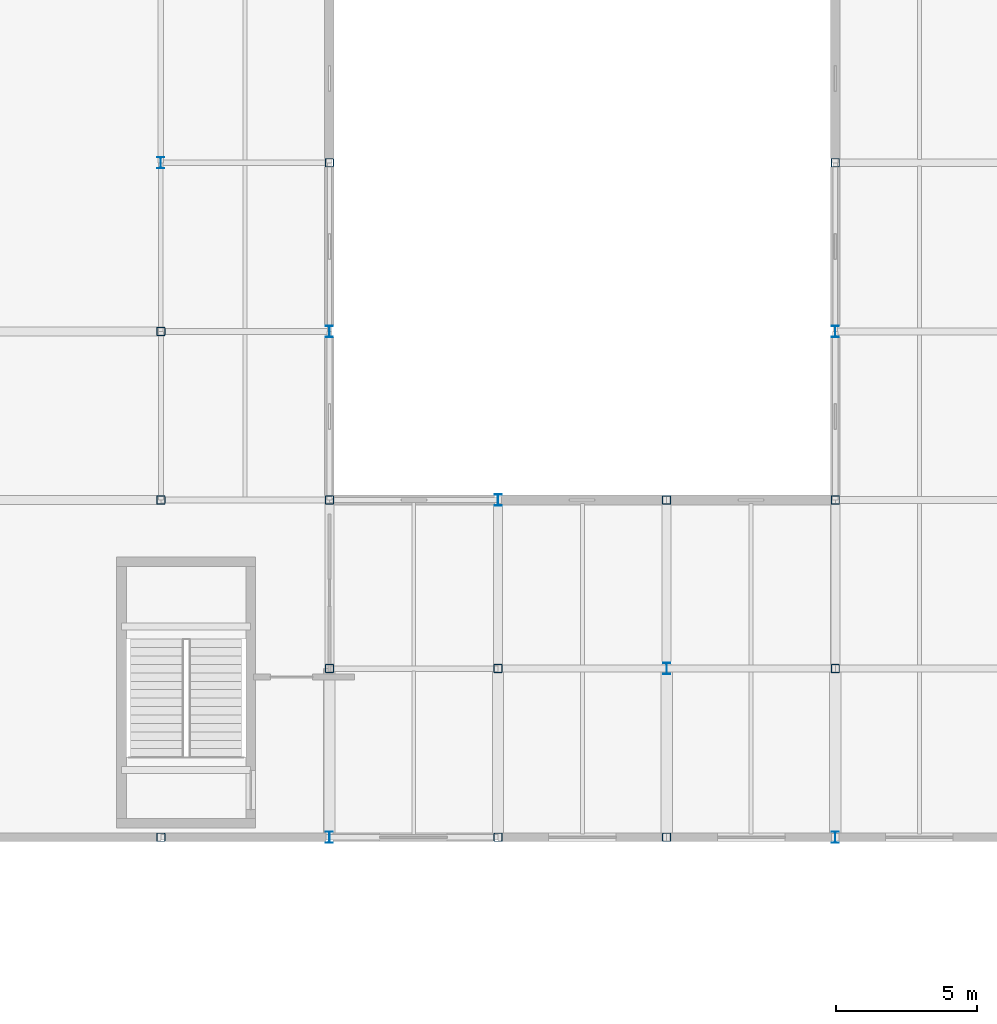
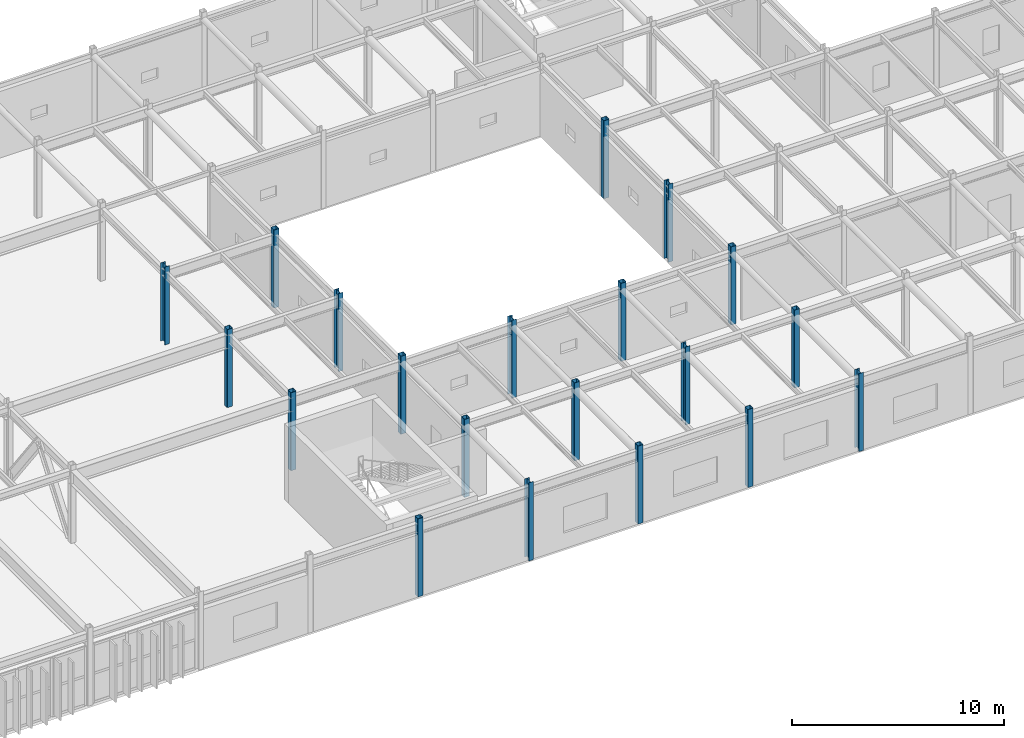
# One storey, part 16 of 96: 20 columns.
"""IFC4 building model written with IfcOpenShell, lengths in metres."""

from ifc_helpers import new_model, si_unit, direction, frame, origin, origin_2d, place, context, subcontext, project, spatial, hollow_rectangle, i_section, extrude, material, material_profile, profile_set, type_object, element, save


model = new_model("IFC4")

# Units and contexts
model_context = context("Model", 3, precision=1e-05, world=origin(), true_north=direction((0.0, 1.0)))
body_context = subcontext(model_context, "Body", "Model", "MODEL_VIEW")
ifc_project = project(units=[si_unit("LENGTHUNIT", "METRE"), si_unit("AREAUNIT", "SQUARE_METRE"), si_unit("VOLUMEUNIT", "CUBIC_METRE"), si_unit("PLANEANGLEUNIT", "RADIAN"), si_unit("MASSUNIT", "GRAM", prefix="KILO")], contexts=[model_context])

# Site, building, storey
site_placement = place(None, origin())
site = spatial("IfcSite", under=ifc_project, at=site_placement, CompositionType="ELEMENT")
building_placement = place(site_placement, origin())
building = spatial("IfcBuilding", under=site, at=building_placement, Name="Varnakota Square Police Headquarters", CompositionType="ELEMENT")
storey_placement = place(building_placement, frame((0.0, 0.0, 4.800048828125)))
storey = spatial("IfcBuildingStorey", under=building, at=storey_placement, Name="L01", CompositionType="ELEMENT", Elevation=4.800048828125)

# Columns
ifc_material = material(Name="Steel IS 2062 Grade 350", Category="steel")
ifc_material_profile_1 = material_profile(ifc_material, i_section(OverallWidth=0.25, OverallDepth=0.39990234375, WebThickness=0.010498046875, FlangeThickness=0.0126953125, FilletRadius=0.013916015625, at=origin_2d()), Name="ISHB 400")
ifc_profile_set_1 = profile_set([ifc_material_profile_1], Name="Steel IS 2062 Grade 350")
column_type_1 = type_object("IfcColumnType", Name="COL-ISHB400", PredefinedType="COLUMN", material=ifc_profile_set_1)
for number, where, z_axis, x_axis, name in (
    (1, (108.0, 93.0, 0.0), (0.0, 0.0, 1.0), (1.0, 0.0, 0.0), "Column X1080-Y0930 L01"),
    (2, (114.0, 69.0, 0.0), (0.0, 0.0, 1.0), (1.0, 0.0, 0.0), "Column X1140-Y0690 L01"),
    (3, (114.0, 87.0, 0.0), (0.0, 0.0, 1.0), (1.0, 0.0, 0.0), "Column X1140-Y0870 L01"),
    (4, (120.0, 81.0, 0.0), (0.0, 0.0, 1.0), (1.0, 0.0, 0.0), "Column X1200-Y0810 L01"),
    (5, (126.0, 75.0, 0.0), (0.0, 0.0, 1.0), (1.0, 0.0, 0.0), "Column X1260-Y0750 L01"),
    (6, (132.0, 69.0, 0.0), (0.0, 0.0, 1.0), (1.0, 0.0, 0.0), "Column X1320-Y0690 L01"),
    (7, (132.0, 87.0, 0.0), (0.0, 0.0, 1.0), (1.0, 0.0, 0.0), "Column X1320-Y0870 L01"),
):
    element("IfcColumn", number, at=place(storey_placement, frame(where, z_axis=z_axis, x_axis=x_axis)), inside=storey, type_object=column_type_1, Name=name, PredefinedType="COLUMN", context=body_context, shape_type="SweptSolid", body=[
        extrude(i_section(OverallWidth=0.25, OverallDepth=0.39990234375, WebThickness=0.010498046875, FlangeThickness=0.0126953125, FilletRadius=0.013916015625, at=origin_2d()), origin(), (0.0, 0.0, 1.0), 4.5),
    ])
ifc_material_profile_2 = material_profile(ifc_material, hollow_rectangle(XDim=0.300048828125, YDim=0.300048828125, WallThickness=0.01611328125, InnerFilletRadius=0.01611328125, OuterFilletRadius=0.031982421875, at=origin_2d()), Name="SHS 300x300x16")
ifc_profile_set_2 = profile_set([ifc_material_profile_2], Name="Steel IS 2062 Grade 350")
column_type_2 = type_object("IfcColumnType", Name="COL-SHS300", PredefinedType="COLUMN", material=ifc_profile_set_2)
for number, where, z_axis, x_axis, name in (
    (8, (108.0, 69.0, 0.0), (0.0, 0.0, 1.0), (1.0, 0.0, 0.0), "Column X1080-Y0690 L01"),
    (9, (108.0, 81.0, 0.0), (0.0, 0.0, 1.0), (1.0, 0.0, 0.0), "Column X1080-Y0810 L01"),
    (10, (108.0, 87.0, 0.0), (0.0, 0.0, 1.0), (1.0, 0.0, 0.0), "Column X1080-Y0870 L01"),
    (11, (114.0, 75.0, 0.0), (0.0, 0.0, 1.0), (1.0, 0.0, 0.0), "Column X1140-Y0750 L01"),
    (12, (114.0, 81.0, 0.0), (0.0, 0.0, 1.0), (1.0, 0.0, 0.0), "Column X1140-Y0810 L01"),
    (13, (114.0, 93.0, 0.0), (0.0, 0.0, 1.0), (1.0, 0.0, 0.0), "Column X1140-Y0930 L01"),
    (14, (120.0, 69.0, 0.0), (0.0, 0.0, 1.0), (1.0, 0.0, 0.0), "Column X1200-Y0690 L01"),
    (15, (120.0, 75.0, 0.0), (0.0, 0.0, 1.0), (1.0, 0.0, 0.0), "Column X1200-Y0750 L01"),
    (16, (126.0, 69.0, 0.0), (0.0, 0.0, 1.0), (1.0, 0.0, 0.0), "Column X1260-Y0690 L01"),
    (17, (126.0, 81.0, 0.0), (0.0, 0.0, 1.0), (1.0, 0.0, 0.0), "Column X1260-Y0810 L01"),
    (18, (132.0, 75.0, 0.0), (0.0, 0.0, 1.0), (1.0, 0.0, 0.0), "Column X1320-Y0750 L01"),
    (19, (132.0, 81.0, 0.0), (0.0, 0.0, 1.0), (1.0, 0.0, 0.0), "Column X1320-Y0810 L01"),
    (20, (132.0, 93.0, 0.0), (0.0, 0.0, 1.0), (1.0, 0.0, 0.0), "Column X1320-Y0930 L01"),
):
    element("IfcColumn", number, at=place(storey_placement, frame(where, z_axis=z_axis, x_axis=x_axis)), inside=storey, type_object=column_type_2, Name=name, PredefinedType="COLUMN", context=body_context, shape_type="SweptSolid", body=[
        extrude(hollow_rectangle(XDim=0.300048828125, YDim=0.300048828125, WallThickness=0.01611328125, InnerFilletRadius=0.01611328125, OuterFilletRadius=0.031982421875, at=origin_2d()), origin(), (0.0, 0.0, 1.0), 4.5),
    ])

save(model, "model.ifc")
